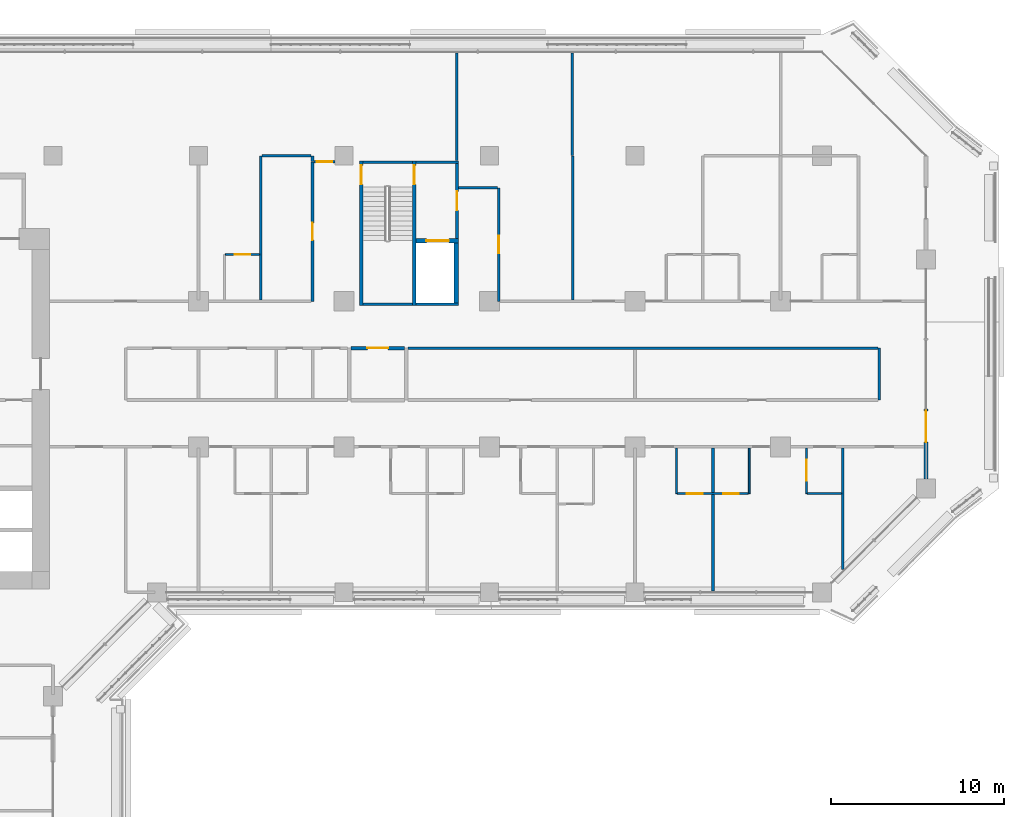
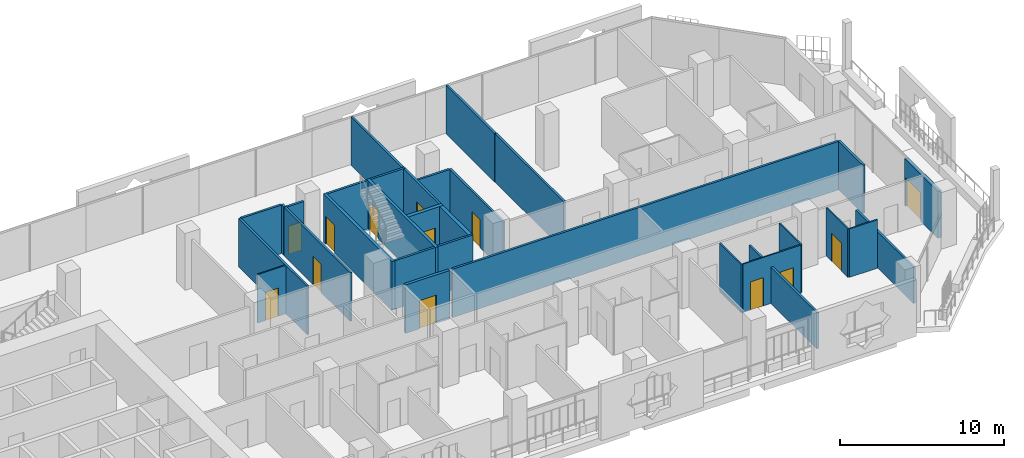
# One storey, part 16 of 26: 31 walls, 13 doors, 13 openings.
"""IFC4 building model written with IfcOpenShell, lengths in metres."""

from ifc_helpers import new_model, si_unit, direction, frame, frame_2d, origin, place, context, subcontext, project, spatial, rectangle, extrude, material, layer, layer_set, type_object, element, fill, save


model = new_model("IFC4")

# Units and contexts
model_context = context("Model", 3, precision=1e-05, world=origin(), true_north=direction((0.0, 1.0)))
body_context = subcontext(model_context, "Body", "Model", "MODEL_VIEW")
ifc_project = project(units=[si_unit("LENGTHUNIT", "METRE"), si_unit("AREAUNIT", "SQUARE_METRE"), si_unit("VOLUMEUNIT", "CUBIC_METRE"), si_unit("PLANEANGLEUNIT", "RADIAN"), si_unit("MASSUNIT", "GRAM", prefix="KILO")], contexts=[model_context])

# Site, building, storey
site_placement = place(None, origin())
site = spatial("IfcSite", under=ifc_project, at=site_placement, CompositionType="ELEMENT")
building_placement = place(site_placement, origin())
building = spatial("IfcBuilding", under=site, at=building_placement, Name="Kawkab Arch Medical Tower", CompositionType="ELEMENT")
storey_placement = place(building_placement, frame((0.0, 0.0, 119.800048828125)))
storey = spatial("IfcBuildingStorey", under=building, at=storey_placement, Name="L27", CompositionType="ELEMENT", Elevation=119.800048828125)

# Wall, opening, door
ifc_material_1 = material(Name="Gypsum board on steel studs", Category="steel")
ifc_layer_1 = layer(ifc_material_1, 0.14990234375)
ifc_layer_set_1 = layer_set([ifc_layer_1], Name="Gypsum board on steel studs")
wall_type_1 = type_object("IfcWallType", Name="Core room partition 150", PredefinedType="PARTITIONING", material=ifc_layer_set_1)
wall_1_placement = place(storey_placement, frame((48.52490234375, -4.77490234375, 0.0), z_axis=(0.0, 0.0, 1.0), x_axis=(0.0, 1.0, 0.0)))
wall_1 = element("IfcWall", 1, at=wall_1_placement, inside=storey, type_object=wall_type_1, Name="L27 core room partition", PredefinedType="PARTITIONING", context=body_context, shape_type="SweptSolid", body=[
    extrude(rectangle(XDim=4.324951171875, YDim=0.14990234375, at=frame_2d((2.16259765625, 0.0))), origin(), (0.0, 0.0, 1.0), 3.599853515625),
])
opening_1_placement = place(wall_1_placement, frame((1.625, 0.0, 0.0)))
opening_1 = element("IfcOpeningElement", 2, at=opening_1_placement, cuts=wall_1, Name="Opening FD", PredefinedType="OPENING", context=body_context, shape_type="SweptSolid", body=[
    extrude(rectangle(XDim=1.10009765625, YDim=2.10009765625, at=frame_2d((0.550048828125, 1.050048828125))), frame((0.0, 0.0849609375, 0.0), z_axis=(0.0, -1.0, 0.0), x_axis=(1.0, 0.0, 0.0)), (0.0, 0.0, 1.0), 0.169921875),
])
ifc_material_2 = material(Name="Hollow metal fire door leaf")
door_type_1 = type_object("IfcDoorType", Name="Firefighting lobby door 1100", OperationType="SINGLE_SWING_LEFT", PredefinedType="DOOR", material=ifc_material_2)
door_1_placement = place(opening_1_placement, origin())
door_1 = element("IfcDoor", 3, at=door_1_placement, inside=storey, type_object=door_type_1, Name="L27 Service lift lobby door SV1", OperationType="SINGLE_SWING_LEFT", OverallHeight=2.10009765625, OverallWidth=1.10009765625, PredefinedType="DOOR", context=body_context, shape_type="SweptSolid", body=[
    extrude(rectangle(XDim=1.10009765625, YDim=2.10009765625, at=frame_2d((0.550048828125, 1.050048828125))), frame((0.0, 0.02490234375, 0.0), z_axis=(0.0, -1.0, 0.0), x_axis=(1.0, 0.0, 0.0)), (0.0, 0.0, 1.0), 0.050048828125),
])
fill(opening_1, door_1)

ifc_material_3 = material(Name="Concrete C60/75", Category="concrete")
ifc_layer_2 = layer(ifc_material_3, 0.25)
ifc_layer_set_2 = layer_set([ifc_layer_2], Name="Concrete C60/75")
wall_type_2 = type_object("IfcWallType", Name="Core shear wall 250 C60/75", PredefinedType="SHEAR", material=ifc_layer_set_2)
wall_2_placement = place(storey_placement, frame((46.14990234375, -4.89990234375, 0.0), z_axis=(0.0, 0.0, 1.0), x_axis=(1.0, 0.0, 0.0)))
wall_2 = element("IfcWall", 4, at=wall_2_placement, inside=storey, type_object=wall_type_2, Name="L27 core shear wall", PredefinedType="SHEAR", context=body_context, shape_type="SweptSolid", body=[
    extrude(rectangle(XDim=2.4501953125, YDim=0.25, at=frame_2d((1.22509765625, 0.0))), origin(), (0.0, 0.0, 1.0), 3.599853515625),
])
opening_2_placement = place(wall_2_placement, frame((0.60009765625, 0.0, 0.0)))
opening_2 = element("IfcOpeningElement", 5, at=opening_2_placement, cuts=wall_2, Name="Opening LD2", PredefinedType="OPENING", context=body_context, shape_type="SweptSolid", body=[
    extrude(rectangle(XDim=1.300048828125, YDim=2.10009765625, at=frame_2d((0.64990234375, 1.050048828125))), frame((0.0, 0.135009765625, 0.0), z_axis=(0.0, -1.0, 0.0), x_axis=(1.0, 0.0, 0.0)), (0.0, 0.0, 1.0), 0.27001953125),
])
ifc_material_4 = material(Name="Stainless steel lift door leaf", Category="steel")
door_type_2 = type_object("IfcDoorType", Name="Lift landing door 1300", OperationType="DOUBLE_DOOR_SLIDING", PredefinedType="DOOR", material=ifc_material_4)
door_2_placement = place(opening_2_placement, origin())
door_2 = element("IfcDoor", 6, at=door_2_placement, inside=storey, type_object=door_type_2, Name="L27 Lift landing door SV1", OperationType="DOUBLE_DOOR_SLIDING", OverallHeight=2.10009765625, OverallWidth=1.300048828125, PredefinedType="DOOR", context=body_context, shape_type="SweptSolid", body=[
    extrude(rectangle(XDim=1.300048828125, YDim=2.10009765625, at=frame_2d((0.64990234375, 1.050048828125))), frame((0.0, 0.02490234375, 0.0), z_axis=(0.0, -1.0, 0.0), x_axis=(1.0, 0.0, 0.0)), (0.0, 0.0, 1.0), 0.050048828125),
])
fill(opening_2, door_2)

# Wall
wall_3_placement = place(storey_placement, frame((48.47509765625, -8.5, 0.0), z_axis=(0.0, 0.0, 1.0), x_axis=(0.0, 1.0, 0.0)))
element("IfcWall", 7, at=wall_3_placement, inside=storey, type_object=wall_type_2, Name="L27 core shear wall", PredefinedType="SHEAR", context=body_context, shape_type="SweptSolid", body=[
    extrude(rectangle(XDim=3.47509765625, YDim=0.25, at=frame_2d((1.737548828125, 0.0))), origin(), (0.0, 0.0, 1.0), 3.599853515625),
])

# Wall, opening, door
ifc_material_5 = material(Name="Bronze clad insulated wall panel")
ifc_layer_3 = layer(ifc_material_5, 0.25)
ifc_layer_set_3 = layer_set([ifc_layer_3], Name="Bronze clad insulated wall panel")
wall_type_3 = type_object("IfcWallType", Name="External wall bay 250", PredefinedType="SOLIDWALL", material=ifc_layer_set_3)
wall_4_placement = place(storey_placement, frame((75.60009765625, -18.64990234375, 0.0), z_axis=(0.0, 0.0, 1.0), x_axis=(0.0, 1.0, 0.0)))
wall_4 = element("IfcWall", 8, at=wall_4_placement, inside=storey, type_object=wall_type_3, Name="External wall bay L27.R09.1.1", PredefinedType="SOLIDWALL", context=body_context, shape_type="SweptSolid", body=[
    extrude(rectangle(XDim=4.033203125, YDim=0.25, at=frame_2d((2.0166015625, 0.0))), origin(), (0.0, 0.0, 1.0), 3.47998046875),
])
opening_3_placement = place(wall_4_placement, frame((2.11669921875, 0.0, 0.0)))
opening_3 = element("IfcOpeningElement", 9, at=opening_3_placement, cuts=wall_4, Name="Opening W27-701", PredefinedType="OPENING", context=body_context, shape_type="SweptSolid", body=[
    extrude(rectangle(XDim=1.800048828125, YDim=2.10009765625, at=frame_2d((0.89990234375, 1.050048828125))), frame((0.0, 0.135009765625, 0.0), z_axis=(0.0, -1.0, 0.0), x_axis=(1.0, 0.0, 0.0)), (0.0, 0.0, 1.0), 0.27001953125),
])
ifc_material_6 = material(Name="Bronze anodised aluminium door with tinted glass", Category="aluminium")
door_type_3 = type_object("IfcDoorType", Name="Double external door 1800 x 2100", OperationType="DOUBLE_DOOR_SINGLE_SWING", PredefinedType="DOOR", material=ifc_material_6)
door_3_placement = place(opening_3_placement, origin())
door_3 = element("IfcDoor", 10, at=door_3_placement, inside=storey, type_object=door_type_3, Name="External door L27.R09.1.1", OperationType="DOUBLE_DOOR_SINGLE_SWING", OverallHeight=2.10009765625, OverallWidth=1.800048828125, PredefinedType="DOOR", context=body_context, shape_type="SweptSolid", body=[
    extrude(rectangle(XDim=1.800048828125, YDim=2.10009765625, at=frame_2d((0.89990234375, 1.050048828125))), frame((0.0, 0.02490234375, 0.0), z_axis=(0.0, -1.0, 0.0), x_axis=(1.0, 0.0, 0.0)), (0.0, 0.0, 1.0), 0.050048828125),
])
fill(opening_3, door_3)

# Wall, openings, doors
ifc_material_7 = material(Name="Gypsum board partition on steel studs", Category="steel")
ifc_layer_4 = layer(ifc_material_7, 0.10009765625)
ifc_layer_set_4 = layer_set([ifc_layer_4], Name="Gypsum board partition on steel studs")
wall_type_4 = type_object("IfcWallType", Name="Partition 100", PredefinedType="PARTITIONING", material=ifc_layer_set_4)
wall_5_placement = place(storey_placement, frame((61.25, -19.5, 0.0), z_axis=(0.0, 0.0, 1.0), x_axis=(1.0, 0.0, 0.0)))
wall_5 = element("IfcWall", 11, at=wall_5_placement, inside=storey, type_object=wall_type_4, Name="Partition 100 w009", PredefinedType="PARTITIONING", context=body_context, shape_type="SweptSolid", body=[
    extrude(rectangle(XDim=4.10009765625, YDim=0.10009765625, at=frame_2d((2.050048828125, 0.0))), origin(), (0.0, 0.0, 1.0), 3.599853515625),
])
opening_4_placement = place(wall_5_placement, frame((0.550048828125, 0.0, 0.0)))
opening_4 = element("IfcOpeningElement", 12, at=opening_4_placement, cuts=wall_5, Name="Opening W27-012", PredefinedType="OPENING", context=body_context, shape_type="SweptSolid", body=[
    extrude(rectangle(XDim=0.89990234375, YDim=2.10009765625, at=frame_2d((0.449951171875, 1.050048828125))), frame((0.0, 0.06005859375, 0.0), z_axis=(0.0, -1.0, 0.0), x_axis=(1.0, 0.0, 0.0)), (0.0, 0.0, 1.0), 0.1201171875),
])
opening_5_placement = place(wall_5_placement, frame((2.64990234375, 0.0, 0.0)))
opening_5 = element("IfcOpeningElement", 13, at=opening_5_placement, cuts=wall_5, Name="Opening W27-013", PredefinedType="OPENING", context=body_context, shape_type="SweptSolid", body=[
    extrude(rectangle(XDim=0.89990234375, YDim=2.10009765625, at=frame_2d((0.449951171875, 1.050048828125))), frame((0.0, 0.06005859375, 0.0), z_axis=(0.0, -1.0, 0.0), x_axis=(1.0, 0.0, 0.0)), (0.0, 0.0, 1.0), 0.1201171875),
])
ifc_material_8 = material(Name="Timber door leaf", Category="wood")
door_type_4 = type_object("IfcDoorType", Name="Single door 900x2100", OperationType="NOTDEFINED", PredefinedType="DOOR", material=ifc_material_8)
door_4_placement = place(opening_4_placement, origin())
door_4 = element("IfcDoor", 14, at=door_4_placement, inside=storey, type_object=door_type_4, Name="Door W27-012", OperationType="SINGLE_SWING_RIGHT", OverallHeight=2.10009765625, OverallWidth=0.89990234375, PredefinedType="DOOR", context=body_context, shape_type="SweptSolid", body=[
    extrude(rectangle(XDim=0.89990234375, YDim=2.10009765625, at=frame_2d((0.449951171875, 1.050048828125))), frame((0.0, 0.02490234375, 0.0), z_axis=(0.0, -1.0, 0.0), x_axis=(1.0, 0.0, 0.0)), (0.0, 0.0, 1.0), 0.050048828125),
])
fill(opening_4, door_4)
door_5_placement = place(opening_5_placement, origin())
door_5 = element("IfcDoor", 15, at=door_5_placement, inside=storey, type_object=door_type_4, Name="Door W27-013", OperationType="SINGLE_SWING_LEFT", OverallHeight=2.10009765625, OverallWidth=0.89990234375, PredefinedType="DOOR", context=body_context, shape_type="SweptSolid", body=[
    extrude(rectangle(XDim=0.89990234375, YDim=2.10009765625, at=frame_2d((0.449951171875, 1.050048828125))), frame((0.0, 0.02490234375, 0.0), z_axis=(0.0, -1.0, 0.0), x_axis=(1.0, 0.0, 0.0)), (0.0, 0.0, 1.0), 0.050048828125),
])
fill(opening_5, door_5)

# Wall
wall_6_placement = place(storey_placement, frame((68.75, -19.5, 0.0), z_axis=(0.0, 0.0, 1.0), x_axis=(1.0, 0.0, 0.0)))
element("IfcWall", 16, at=wall_6_placement, inside=storey, type_object=wall_type_4, Name="Partition 100 w010", PredefinedType="PARTITIONING", context=body_context, shape_type="SweptSolid", body=[
    extrude(rectangle(XDim=1.97509765625, YDim=0.10009765625, at=frame_2d((0.987548828125, 0.0))), origin(), (0.0, 0.0, 1.0), 3.599853515625),
])

# Wall, opening, door
wall_7_placement = place(storey_placement, frame((35.15087890625, -5.699951171875, 0.0), z_axis=(0.0, 0.0, 1.0), x_axis=(1.0, 0.0, 0.0)))
wall_7 = element("IfcWall", 17, at=wall_7_placement, inside=storey, type_object=wall_type_4, Name="Partition 100 w011", PredefinedType="PARTITIONING", context=body_context, shape_type="SweptSolid", body=[
    extrude(rectangle(XDim=1.97412109375, YDim=0.10009765625, at=frame_2d((0.987060546875, 0.0))), origin(), (0.0, 0.0, 1.0), 3.599853515625),
])
opening_6_placement = place(wall_7_placement, frame((0.549072265625, 0.0, 0.0)))
opening_6 = element("IfcOpeningElement", 18, at=opening_6_placement, cuts=wall_7, Name="Opening W27-004", PredefinedType="OPENING", context=body_context, shape_type="SweptSolid", body=[
    extrude(rectangle(XDim=0.89990234375, YDim=2.10009765625, at=frame_2d((0.449951171875, 1.050048828125))), frame((0.0, 0.06005859375, 0.0), z_axis=(0.0, -1.0, 0.0), x_axis=(1.0, 0.0, 0.0)), (0.0, 0.0, 1.0), 0.1201171875),
])
door_6_placement = place(opening_6_placement, origin())
door_6 = element("IfcDoor", 19, at=door_6_placement, inside=storey, type_object=door_type_4, Name="Door W27-004", OperationType="SINGLE_SWING_RIGHT", OverallHeight=2.10009765625, OverallWidth=0.89990234375, PredefinedType="DOOR", context=body_context, shape_type="SweptSolid", body=[
    extrude(rectangle(XDim=0.89990234375, YDim=2.10009765625, at=frame_2d((0.449951171875, 1.050048828125))), frame((0.0, 0.02490234375, 0.0), z_axis=(0.0, -1.0, 0.0), x_axis=(1.0, 0.0, 0.0)), (0.0, 0.0, 1.0), 0.050048828125),
])
fill(opening_6, door_6)

# Walls
for number, where, z_axis, x_axis, name in (
    (20, (61.199951171875, -19.5, 0.0), (0.0, 0.0, 1.0), (0.0, 1.0, 0.0), "Partition 100 w025"),
    (21, (65.39990234375, -19.5, 0.0), (0.0, 0.0, 1.0), (0.0, 1.0, 0.0), "Partition 100 w027"),
):
    element("IfcWall", number, at=place(storey_placement, frame(where, z_axis=z_axis, x_axis=x_axis)), inside=storey, type_object=wall_type_4, Name=name, PredefinedType="PARTITIONING", context=body_context, shape_type="SweptSolid", body=[
        extrude(rectangle(XDim=2.625, YDim=0.10009765625, at=frame_2d((1.3125, 0.0))), origin(), (0.0, 0.0, 1.0), 3.599853515625),
    ])

# Wall, opening, door
wall_8_placement = place(storey_placement, frame((68.699951171875, -19.5, 0.0), z_axis=(0.0, 0.0, 1.0), x_axis=(0.0, 1.0, 0.0)))
wall_8 = element("IfcWall", 22, at=wall_8_placement, inside=storey, type_object=wall_type_4, Name="Partition 100 w028", PredefinedType="PARTITIONING", context=body_context, shape_type="SweptSolid", body=[
    extrude(rectangle(XDim=2.625, YDim=0.10009765625, at=frame_2d((1.3125, 0.0))), origin(), (0.0, 0.0, 1.0), 3.599853515625),
])
opening_7_placement = place(wall_8_placement, frame((0.75, 0.0, 0.0)))
opening_7 = element("IfcOpeningElement", 23, at=opening_7_placement, cuts=wall_8, Name="Opening W27-052", PredefinedType="OPENING", context=body_context, shape_type="SweptSolid", body=[
    extrude(rectangle(XDim=1.199951171875, YDim=2.10009765625, at=frame_2d((0.60009765625, 1.050048828125))), frame((0.0, 0.06005859375, 0.0), z_axis=(0.0, -1.0, 0.0), x_axis=(1.0, 0.0, 0.0)), (0.0, 0.0, 1.0), 0.1201171875),
])
ifc_material_9 = material(Name="Timber door leaf", Category="wood")
door_type_5 = type_object("IfcDoorType", Name="Single door 1200x2100", OperationType="NOTDEFINED", PredefinedType="DOOR", material=ifc_material_9)
door_7_placement = place(opening_7_placement, origin())
door_7 = element("IfcDoor", 24, at=door_7_placement, inside=storey, type_object=door_type_5, Name="Door W27-052", OperationType="SINGLE_SWING_RIGHT", OverallHeight=2.10009765625, OverallWidth=1.199951171875, PredefinedType="DOOR", context=body_context, shape_type="SweptSolid", body=[
    extrude(rectangle(XDim=1.199951171875, YDim=2.10009765625, at=frame_2d((0.60009765625, 1.050048828125))), frame((0.0, 0.02490234375, 0.0), z_axis=(0.0, -1.0, 0.0), x_axis=(1.0, 0.0, 0.0)), (0.0, 0.0, 1.0), 0.050048828125),
])
fill(opening_7, door_7)

# Walls
ifc_material_10 = material(Name="Gypsum board partition on steel studs, mineral wool", Category="steel")
ifc_layer_5 = layer(ifc_material_10, 0.14990234375)
ifc_layer_set_5 = layer_set([ifc_layer_5], Name="Gypsum board partition on steel studs, mineral wool")
wall_type_5 = type_object("IfcWallType", Name="Partition 150", PredefinedType="PARTITIONING", material=ifc_layer_set_5)
wall_9_placement = place(storey_placement, frame((45.699951171875, -11.10009765625, 0.0), z_axis=(0.0, 0.0, 1.0), x_axis=(1.0, 0.0, 0.0)))
element("IfcWall", 25, at=wall_9_placement, inside=storey, type_object=wall_type_5, Name="Partition 150 w050", PredefinedType="PARTITIONING", context=body_context, shape_type="SweptSolid", body=[
    extrude(rectangle(XDim=27.125, YDim=0.14990234375, at=frame_2d((13.5625, 0.0))), origin(), (0.0, 0.0, 1.0), 3.599853515625),
])
wall_10_placement = place(storey_placement, frame((48.60009765625, -1.85009765625, 0.0), z_axis=(0.0, 0.0, 1.0), x_axis=(1.0, 0.0, 0.0)))
element("IfcWall", 26, at=wall_10_placement, inside=storey, type_object=wall_type_5, Name="Partition 150 w053", PredefinedType="PARTITIONING", context=body_context, shape_type="SweptSolid", body=[
    extrude(rectangle(XDim=2.246826171875, YDim=0.14990234375, at=frame_2d((1.12353515625, 0.0))), origin(), (0.0, 0.0, 1.0), 3.599853515625),
])

# Wall, opening, door
wall_11_placement = place(storey_placement, frame((40.277099609375, -0.35009765625, 0.0), z_axis=(0.0, 0.0, 1.0), x_axis=(1.0, 0.0, 0.0)))
wall_11 = element("IfcWall", 27, at=wall_11_placement, inside=storey, type_object=wall_type_5, Name="Partition 150 w054", PredefinedType="PARTITIONING", context=body_context, shape_type="SweptSolid", body=[
    extrude(rectangle(XDim=1.2109375, YDim=0.14990234375, at=frame_2d((0.60546875, 0.0))), origin(), (0.0, 0.0, 1.0), 3.599853515625),
])
opening_8_placement = place(wall_11_placement, frame((0.14111328125, 0.0, 0.0)))
opening_8 = element("IfcOpeningElement", 28, at=opening_8_placement, cuts=wall_11, Name="Opening W27-018", PredefinedType="OPENING", context=body_context, shape_type="SweptSolid", body=[
    extrude(rectangle(XDim=0.89990234375, YDim=2.10009765625, at=frame_2d((0.449951171875, 1.050048828125))), frame((0.0, 0.0849609375, 0.0), z_axis=(0.0, -1.0, 0.0), x_axis=(1.0, 0.0, 0.0)), (0.0, 0.0, 1.0), 0.169921875),
])
ifc_material_11 = material(Name="Hollow metal door leaf")
door_type_6 = type_object("IfcDoorType", Name="Single door 900x2100 FD30S", OperationType="NOTDEFINED", PredefinedType="DOOR", material=ifc_material_11)
door_8_placement = place(opening_8_placement, origin())
door_8 = element("IfcDoor", 29, at=door_8_placement, inside=storey, type_object=door_type_6, Name="Door W27-018", OperationType="SINGLE_SWING_LEFT", OverallHeight=2.10009765625, OverallWidth=0.89990234375, PredefinedType="DOOR", context=body_context, shape_type="SweptSolid", body=[
    extrude(rectangle(XDim=0.89990234375, YDim=2.10009765625, at=frame_2d((0.449951171875, 1.050048828125))), frame((0.0, 0.02490234375, 0.0), z_axis=(0.0, -1.0, 0.0), x_axis=(1.0, 0.0, 0.0)), (0.0, 0.0, 1.0), 0.050048828125),
])
fill(opening_8, door_8)

# Walls
wall_12_placement = place(storey_placement, frame((37.278076171875, 0.0, 0.0), z_axis=(0.0, 0.0, 1.0), x_axis=(1.0, 0.0, 0.0)))
element("IfcWall", 30, at=wall_12_placement, inside=storey, type_object=wall_type_5, Name="Partition 150 w055", PredefinedType="PARTITIONING", context=body_context, shape_type="SweptSolid", body=[
    extrude(rectangle(XDim=2.825927734375, YDim=0.14990234375, at=frame_2d((1.4130859375, 0.0))), origin(), (0.0, 0.0, 1.0), 3.599853515625),
])
wall_13_placement = place(storey_placement, frame((37.199951171875, -8.324951171875, 0.0), z_axis=(0.0, 0.0, 1.0), x_axis=(0.0, 1.0, 0.0)))
element("IfcWall", 31, at=wall_13_placement, inside=storey, type_object=wall_type_5, Name="Partition 150 w070", PredefinedType="PARTITIONING", context=body_context, shape_type="SweptSolid", body=[
    extrude(rectangle(XDim=8.322021484375, YDim=0.14990234375, at=frame_2d((4.1611328125, 0.0))), origin(), (0.0, 0.0, 1.0), 3.599853515625),
])

# Wall, opening, door
wall_14_placement = place(storey_placement, frame((40.181884765625, -8.39990234375, 0.0), z_axis=(0.0, 0.0, 1.0), x_axis=(0.0, 1.0, 0.0)))
wall_14 = element("IfcWall", 32, at=wall_14_placement, inside=storey, type_object=wall_type_5, Name="Partition 150 w073", PredefinedType="PARTITIONING", context=body_context, shape_type="SweptSolid", body=[
    extrude(rectangle(XDim=8.0498046875, YDim=0.14990234375, at=frame_2d((4.02490234375, 0.0))), origin(), (0.0, 0.0, 1.0), 3.599853515625),
])
opening_9_placement = place(wall_14_placement, frame((3.52490234375, 0.0, 0.0)))
opening_9 = element("IfcOpeningElement", 33, at=opening_9_placement, cuts=wall_14, Name="Opening W27-023", PredefinedType="OPENING", context=body_context, shape_type="SweptSolid", body=[
    extrude(rectangle(XDim=1.0, YDim=2.10009765625, at=frame_2d((0.5, 1.050048828125))), frame((0.0, 0.0849609375, 0.0), z_axis=(0.0, -1.0, 0.0), x_axis=(1.0, 0.0, 0.0)), (0.0, 0.0, 1.0), 0.169921875),
])
ifc_material_12 = material(Name="Hollow metal door leaf")
door_type_7 = type_object("IfcDoorType", Name="Single door 1000x2100 FD30S", OperationType="NOTDEFINED", PredefinedType="DOOR", material=ifc_material_12)
door_9_placement = place(opening_9_placement, origin())
door_9 = element("IfcDoor", 34, at=door_9_placement, inside=storey, type_object=door_type_7, Name="Door W27-023", OperationType="SINGLE_SWING_LEFT", OverallHeight=2.10009765625, OverallWidth=1.0, PredefinedType="DOOR", context=body_context, shape_type="SweptSolid", body=[
    extrude(rectangle(XDim=1.0, YDim=2.10009765625, at=frame_2d((0.5, 1.050048828125))), frame((0.0, 0.02490234375, 0.0), z_axis=(0.0, -1.0, 0.0), x_axis=(1.0, 0.0, 0.0)), (0.0, 0.0, 1.0), 0.050048828125),
])
fill(opening_9, door_9)

# Walls
wall_15_placement = place(storey_placement, frame((40.181884765625, -0.330078125, 0.0), z_axis=(0.0, 0.0, 1.0), x_axis=(0.0, 1.0, 0.0)))
element("IfcWall", 35, at=wall_15_placement, inside=storey, type_object=wall_type_5, Name="Partition 150 w074", PredefinedType="PARTITIONING", context=body_context, shape_type="SweptSolid", body=[
    extrude(rectangle(XDim=0.3271484375, YDim=0.14990234375, at=frame_2d((0.16357421875, 0.0))), origin(), (0.0, 0.0, 1.0), 3.599853515625),
])
wall_16_placement = place(storey_placement, frame((48.5, -0.27001953125, 0.0), z_axis=(0.0, 0.0, 1.0), x_axis=(0.0, 1.0, 0.0)))
element("IfcWall", 36, at=wall_16_placement, inside=storey, type_object=wall_type_5, Name="Partition 150 w077", PredefinedType="PARTITIONING", context=body_context, shape_type="SweptSolid", body=[
    extrude(rectangle(XDim=6.18994140625, YDim=0.14990234375, at=frame_2d((3.094970703125, 0.0))), origin(), (0.0, 0.0, 1.0), 3.599853515625),
])

# Wall, opening, door
wall_17_placement = place(storey_placement, frame((50.925048828125, -8.39990234375, 0.0), z_axis=(0.0, 0.0, 1.0), x_axis=(0.0, 1.0, 0.0)))
wall_17 = element("IfcWall", 37, at=wall_17_placement, inside=storey, type_object=wall_type_5, Name="Partition 150 w078", PredefinedType="PARTITIONING", context=body_context, shape_type="SweptSolid", body=[
    extrude(rectangle(XDim=6.5478515625, YDim=0.14990234375, at=frame_2d((3.27392578125, 0.0))), origin(), (0.0, 0.0, 1.0), 3.599853515625),
])
opening_10_placement = place(wall_17_placement, frame((2.77392578125, 0.0, 0.0)))
opening_10 = element("IfcOpeningElement", 38, at=opening_10_placement, cuts=wall_17, Name="Opening W27-024", PredefinedType="OPENING", context=body_context, shape_type="SweptSolid", body=[
    extrude(rectangle(XDim=1.0, YDim=2.10009765625, at=frame_2d((0.5, 1.050048828125))), frame((0.0, 0.0849609375, 0.0), z_axis=(0.0, -1.0, 0.0), x_axis=(1.0, 0.0, 0.0)), (0.0, 0.0, 1.0), 0.169921875),
])
door_10_placement = place(opening_10_placement, origin())
door_10 = element("IfcDoor", 39, at=door_10_placement, inside=storey, type_object=door_type_7, Name="Door W27-024", OperationType="SINGLE_SWING_LEFT", OverallHeight=2.10009765625, OverallWidth=1.0, PredefinedType="DOOR", context=body_context, shape_type="SweptSolid", body=[
    extrude(rectangle(XDim=1.0, YDim=2.10009765625, at=frame_2d((0.5, 1.050048828125))), frame((0.0, 0.02490234375, 0.0), z_axis=(0.0, -1.0, 0.0), x_axis=(1.0, 0.0, 0.0)), (0.0, 0.0, 1.0), 0.050048828125),
])
fill(opening_10, door_10)

# Walls
wall_18_placement = place(storey_placement, frame((55.179931640625, 0.02001953125, 0.0), z_axis=(0.0, 0.0, 1.0), x_axis=(0.0, 1.0, 0.0)))
element("IfcWall", 40, at=wall_18_placement, inside=storey, type_object=wall_type_5, Name="Partition 150 w080", PredefinedType="PARTITIONING", context=body_context, shape_type="SweptSolid", body=[
    extrude(rectangle(XDim=5.89990234375, YDim=0.14990234375, at=frame_2d((2.949951171875, 0.0))), origin(), (0.0, 0.0, 1.0), 3.599853515625),
])
wall_19_placement = place(storey_placement, frame((55.199951171875, -8.324951171875, 0.0), z_axis=(0.0, 0.0, 1.0), x_axis=(0.0, 1.0, 0.0)))
element("IfcWall", 41, at=wall_19_placement, inside=storey, type_object=wall_type_5, Name="Partition 150 w081", PredefinedType="PARTITIONING", context=body_context, shape_type="SweptSolid", body=[
    extrude(rectangle(XDim=8.321044921875, YDim=0.14990234375, at=frame_2d((4.16064453125, 0.0))), origin(), (0.0, 0.0, 1.0), 3.599853515625),
])
wall_20_placement = place(storey_placement, frame((63.300048828125, -25.1201171875, 0.0), z_axis=(0.0, 0.0, 1.0), x_axis=(0.0, 1.0, 0.0)))
element("IfcWall", 42, at=wall_20_placement, inside=storey, type_object=wall_type_5, Name="Partition 150 w085", PredefinedType="PARTITIONING", context=body_context, shape_type="SweptSolid", body=[
    extrude(rectangle(XDim=8.2451171875, YDim=0.14990234375, at=frame_2d((4.12255859375, 0.0))), origin(), (0.0, 0.0, 1.0), 2.699951171875),
])
wall_21_placement = place(storey_placement, frame((70.800048828125, -23.886962890625, 0.0), z_axis=(0.0, 0.0, 1.0), x_axis=(0.0, 1.0, 0.0)))
element("IfcWall", 43, at=wall_21_placement, inside=storey, type_object=wall_type_5, Name="Partition 150 w088", PredefinedType="PARTITIONING", context=body_context, shape_type="SweptSolid", body=[
    extrude(rectangle(XDim=7.011962890625, YDim=0.14990234375, at=frame_2d((3.505859375, 0.0))), origin(), (0.0, 0.0, 1.0), 2.699951171875),
])
wall_22_placement = place(storey_placement, frame((72.89990234375, -14.10009765625, 0.0), z_axis=(0.0, 0.0, 1.0), x_axis=(0.0, 1.0, 0.0)))
element("IfcWall", 44, at=wall_22_placement, inside=storey, type_object=wall_type_5, Name="Partition 150 w090", PredefinedType="PARTITIONING", context=body_context, shape_type="SweptSolid", body=[
    extrude(rectangle(XDim=3.0, YDim=0.14990234375, at=frame_2d((1.5, 0.0))), origin(), (0.0, 0.0, 1.0), 3.599853515625),
])

# Wall, opening, door
ifc_material_13 = material(Name="Fire-rated gypsum board partition on steel studs", Category="steel")
ifc_layer_6 = layer(ifc_material_13, 0.199951171875)
ifc_layer_set_6 = layer_set([ifc_layer_6], Name="Fire-rated gypsum board partition on steel studs")
wall_type_6 = type_object("IfcWallType", Name="Protected partition 200", PredefinedType="PARTITIONING", material=ifc_layer_set_6)
wall_23_placement = place(storey_placement, frame((42.39990234375, -11.10009765625, 0.0), z_axis=(0.0, 0.0, 1.0), x_axis=(1.0, 0.0, 0.0)))
wall_23 = element("IfcWall", 45, at=wall_23_placement, inside=storey, type_object=wall_type_6, Name="Protected partition 200 w092", PredefinedType="PARTITIONING", context=body_context, shape_type="SweptSolid", body=[
    extrude(rectangle(XDim=3.10009765625, YDim=0.199951171875, at=frame_2d((1.550048828125, 0.0))), origin(), (0.0, 0.0, 1.0), 3.599853515625),
])
opening_11_placement = place(wall_23_placement, frame((0.949951171875, 0.0, 0.0)))
opening_11 = element("IfcOpeningElement", 46, at=opening_11_placement, cuts=wall_23, Name="Opening W27-058", PredefinedType="OPENING", context=body_context, shape_type="SweptSolid", body=[
    extrude(rectangle(XDim=1.199951171875, YDim=2.10009765625, at=frame_2d((0.60009765625, 1.050048828125))), frame((0.0, 0.10986328125, 0.0), z_axis=(0.0, -1.0, 0.0), x_axis=(1.0, 0.0, 0.0)), (0.0, 0.0, 1.0), 0.219970703125),
])
ifc_material_14 = material(Name="Hollow metal door leaf")
door_type_8 = type_object("IfcDoorType", Name="Single door 1200x2100 FD60", OperationType="NOTDEFINED", PredefinedType="DOOR", material=ifc_material_14)
door_11_placement = place(opening_11_placement, origin())
door_11 = element("IfcDoor", 47, at=door_11_placement, inside=storey, type_object=door_type_8, Name="Door W27-058", OperationType="SINGLE_SWING_RIGHT", OverallHeight=2.10009765625, OverallWidth=1.199951171875, PredefinedType="DOOR", context=body_context, shape_type="SweptSolid", body=[
    extrude(rectangle(XDim=1.199951171875, YDim=2.10009765625, at=frame_2d((0.60009765625, 1.050048828125))), frame((0.0, 0.02490234375, 0.0), z_axis=(0.0, -1.0, 0.0), x_axis=(1.0, 0.0, 0.0)), (0.0, 0.0, 1.0), 0.050048828125),
])
fill(opening_11, door_11)

# Walls
ifc_material_15 = material(Name="Concrete C50/60", Category="concrete")
ifc_layer_7 = layer(ifc_material_15, 0.14990234375)
ifc_layer_set_7 = layer_set([ifc_layer_7], Name="Concrete C50/60")
wall_type_7 = type_object("IfcWallType", Name="Stair enclosure wall 150 C50/60", PredefinedType="SHEAR", material=ifc_layer_set_7)
wall_24_placement = place(storey_placement, frame((43.10009765625, -0.375, 0.0), z_axis=(0.0, 0.0, 1.0), x_axis=(1.0, 0.0, 0.0)))
element("IfcWall", 48, at=wall_24_placement, inside=storey, type_object=wall_type_7, Name="L27 stair enclosure wall", PredefinedType="SHEAR", context=body_context, shape_type="SweptSolid", body=[
    extrude(rectangle(XDim=2.849853515625, YDim=0.14990234375, at=frame_2d((1.4248046875, 0.0))), origin(), (0.0, 0.0, 1.0), 3.599853515625),
])
wall_25_placement = place(storey_placement, frame((46.14990234375, -0.375, 0.0), z_axis=(0.0, 0.0, 1.0), x_axis=(1.0, 0.0, 0.0)))
element("IfcWall", 49, at=wall_25_placement, inside=storey, type_object=wall_type_7, Name="L27 stair enclosure wall", PredefinedType="SHEAR", context=body_context, shape_type="SweptSolid", body=[
    extrude(rectangle(XDim=2.4501953125, YDim=0.14990234375, at=frame_2d((1.22509765625, 0.0))), origin(), (0.0, 0.0, 1.0), 3.599853515625),
])
wall_26_placement = place(storey_placement, frame((43.10009765625, -8.574951171875, 0.0), z_axis=(0.0, 0.0, 1.0), x_axis=(1.0, 0.0, 0.0)))
element("IfcWall", 50, at=wall_26_placement, inside=storey, type_object=wall_type_7, Name="L27 stair enclosure wall", PredefinedType="SHEAR", context=body_context, shape_type="SweptSolid", body=[
    extrude(rectangle(XDim=2.849853515625, YDim=0.14990234375, at=frame_2d((1.4248046875, 0.0))), origin(), (0.0, 0.0, 1.0), 3.599853515625),
])
wall_27_placement = place(storey_placement, frame((46.14990234375, -8.574951171875, 0.0), z_axis=(0.0, 0.0, 1.0), x_axis=(1.0, 0.0, 0.0)))
element("IfcWall", 51, at=wall_27_placement, inside=storey, type_object=wall_type_7, Name="L27 stair enclosure wall", PredefinedType="SHEAR", context=body_context, shape_type="SweptSolid", body=[
    extrude(rectangle(XDim=2.4501953125, YDim=0.14990234375, at=frame_2d((1.22509765625, 0.0))), origin(), (0.0, 0.0, 1.0), 3.599853515625),
])

# Wall, opening, door
ifc_material_16 = material(Name="Concrete C50/60", Category="concrete")
ifc_layer_8 = layer(ifc_material_16, 0.199951171875)
ifc_layer_set_8 = layer_set([ifc_layer_8], Name="Concrete C50/60")
wall_type_8 = type_object("IfcWallType", Name="Stair enclosure wall 200 C50/60", PredefinedType="SHEAR", material=ifc_layer_set_8)
wall_28_placement = place(storey_placement, frame((43.0, -8.64990234375, 0.0), z_axis=(0.0, 0.0, 1.0), x_axis=(0.0, 1.0, 0.0)))
wall_28 = element("IfcWall", 52, at=wall_28_placement, inside=storey, type_object=wall_type_8, Name="L27 stair enclosure wall", PredefinedType="SHEAR", context=body_context, shape_type="SweptSolid", body=[
    extrude(rectangle(XDim=8.349853515625, YDim=0.199951171875, at=frame_2d((4.1748046875, 0.0))), origin(), (0.0, 0.0, 1.0), 3.599853515625),
])
opening_12_placement = place(wall_28_placement, frame((7.0, 0.0, 0.0)))
opening_12 = element("IfcOpeningElement", 53, at=opening_12_placement, cuts=wall_28, Name="Opening SD", PredefinedType="OPENING", context=body_context, shape_type="SweptSolid", body=[
    extrude(rectangle(XDim=1.10009765625, YDim=2.10009765625, at=frame_2d((0.550048828125, 1.050048828125))), frame((0.0, 0.10986328125, 0.0), z_axis=(0.0, -1.0, 0.0), x_axis=(1.0, 0.0, 0.0)), (0.0, 0.0, 1.0), 0.219970703125),
])
ifc_material_17 = material(Name="Hollow metal fire door leaf")
door_type_9 = type_object("IfcDoorType", Name="Exit stair door 1100", OperationType="SINGLE_SWING_LEFT", PredefinedType="DOOR", material=ifc_material_17)
door_12_placement = place(opening_12_placement, frame((1.10009765625, 0.0, 0.0), z_axis=(0.0, 0.0, 1.0), x_axis=(-1.0, 0.0, 0.0)))
door_12 = element("IfcDoor", 54, at=door_12_placement, inside=storey, type_object=door_type_9, Name="L27 Exit stair ST5 door", OperationType="SINGLE_SWING_LEFT", OverallHeight=2.10009765625, OverallWidth=1.10009765625, PredefinedType="DOOR", context=body_context, shape_type="SweptSolid", body=[
    extrude(rectangle(XDim=1.10009765625, YDim=2.10009765625, at=frame_2d((0.550048828125, 1.050048828125))), frame((0.0, 0.02490234375, 0.0), z_axis=(0.0, -1.0, 0.0), x_axis=(1.0, 0.0, 0.0)), (0.0, 0.0, 1.0), 0.050048828125),
])
fill(opening_12, door_12)

wall_29_placement = place(storey_placement, frame((46.050048828125, -8.64990234375, 0.0), z_axis=(0.0, 0.0, 1.0), x_axis=(0.0, 1.0, 0.0)))
wall_29 = element("IfcWall", 55, at=wall_29_placement, inside=storey, type_object=wall_type_8, Name="L27 stair enclosure wall", PredefinedType="SHEAR", context=body_context, shape_type="SweptSolid", body=[
    extrude(rectangle(XDim=8.349853515625, YDim=0.199951171875, at=frame_2d((4.1748046875, 0.0))), origin(), (0.0, 0.0, 1.0), 3.599853515625),
])
opening_13_placement = place(wall_29_placement, frame((7.0, 0.0, 0.0)))
opening_13 = element("IfcOpeningElement", 56, at=opening_13_placement, cuts=wall_29, Name="Opening SD", PredefinedType="OPENING", context=body_context, shape_type="SweptSolid", body=[
    extrude(rectangle(XDim=1.10009765625, YDim=2.10009765625, at=frame_2d((0.550048828125, 1.050048828125))), frame((0.0, 0.10986328125, 0.0), z_axis=(0.0, -1.0, 0.0), x_axis=(1.0, 0.0, 0.0)), (0.0, 0.0, 1.0), 0.219970703125),
])
door_13_placement = place(opening_13_placement, origin())
door_13 = element("IfcDoor", 57, at=door_13_placement, inside=storey, type_object=door_type_9, Name="L27 Exit stair ST5 lobby door", OperationType="SINGLE_SWING_LEFT", OverallHeight=2.10009765625, OverallWidth=1.10009765625, PredefinedType="DOOR", context=body_context, shape_type="SweptSolid", body=[
    extrude(rectangle(XDim=1.10009765625, YDim=2.10009765625, at=frame_2d((0.550048828125, 1.050048828125))), frame((0.0, 0.02490234375, 0.0), z_axis=(0.0, -1.0, 0.0), x_axis=(1.0, 0.0, 0.0)), (0.0, 0.0, 1.0), 0.050048828125),
])
fill(opening_13, door_13)

save(model, "model.ifc")
